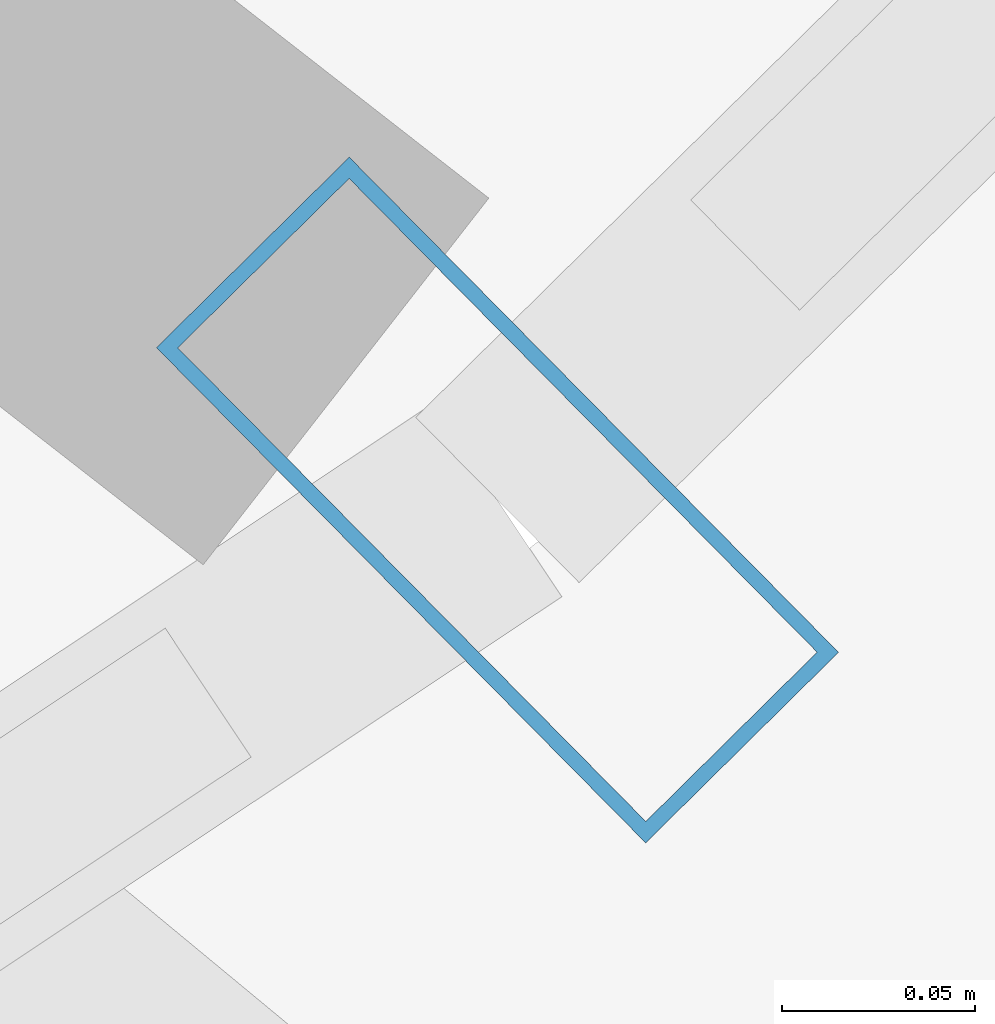
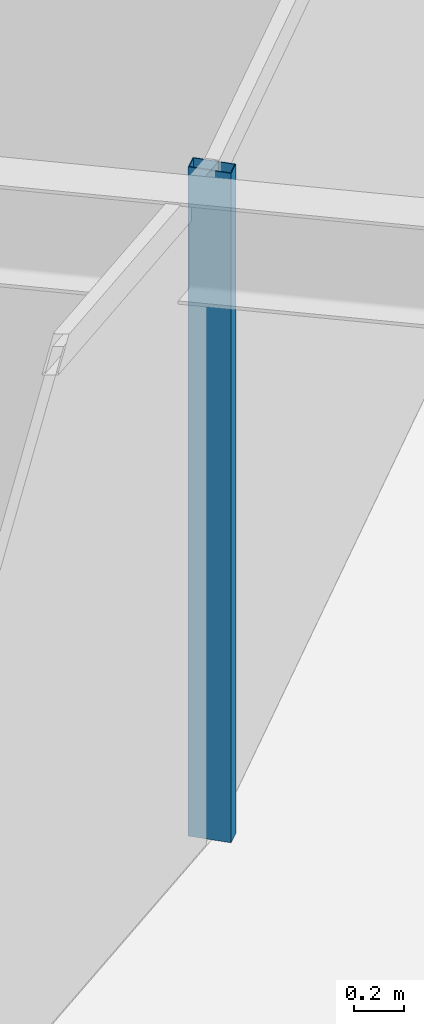
# One storey, part 10 of 21: 1 member, 1 element without a shape of its own.
"""IFC4 building model written with IfcOpenShell, lengths in metres."""

from ifc_helpers import new_model, si_unit, direction, frame, origin, origin_2d, place, context, subcontext, project, spatial, hollow_rectangle, extrude, material, layer, layer_set, material_profile, profile_set, type_object, element, aggregate, save


model = new_model("IFC4")

# Units and contexts
model_context = context("Model", 3, precision=1e-05, world=origin(), true_north=direction((0.0, 1.0)))
body_context = subcontext(model_context, "Body", "Model", "MODEL_VIEW")
ifc_project = project(units=[si_unit("LENGTHUNIT", "METRE"), si_unit("AREAUNIT", "SQUARE_METRE"), si_unit("VOLUMEUNIT", "CUBIC_METRE"), si_unit("PLANEANGLEUNIT", "RADIAN"), si_unit("MASSUNIT", "GRAM", prefix="KILO")], contexts=[model_context])

# Site, building, storey
site_placement = place(None, origin())
site = spatial("IfcSite", under=ifc_project, at=site_placement, CompositionType="ELEMENT")
building_placement = place(site_placement, origin())
building = spatial("IfcBuilding", under=site, at=building_placement, Name="Veldorina Hangang Commons", CompositionType="ELEMENT")
storey_placement = place(building_placement, frame((0.0, 0.0, 73.60009765625)))
storey = spatial("IfcBuildingStorey", under=building, at=storey_placement, Name="L18", CompositionType="ELEMENT", Elevation=73.60009765625)

# Curtain wall, member
ifc_material_1 = material(Name="Glass Low-E Triple IGU", Category="glass")
ifc_layer = layer(ifc_material_1, 0.179931640625)
ifc_layer_set = layer_set([ifc_layer], Name="Glass Low-E Triple IGU")
curtain_wall_type = type_object("IfcCurtainWallType", Name="CW-SYS-Z1", PredefinedType="NOTDEFINED", material=ifc_layer_set)
curtain_wall_placement = place(storey_placement, origin())
curtain_wall = element("IfcCurtainWall", 1, at=curtain_wall_placement, inside=storey, type_object=curtain_wall_type, Name="L18 unitised curtain wall CW-L18-R2", PredefinedType="NOTDEFINED")
ifc_material_2 = material(Name="Aluminium Anodized AA6063-T6", Category="aluminium")
ifc_material_profile = material_profile(ifc_material_2, hollow_rectangle(XDim=0.070068359375, YDim=0.179931640625, WallThickness=0.00390625, at=origin_2d()), Name="ALU-RHS-180x70x4")
ifc_profile_set = profile_set([ifc_material_profile], Name="Aluminium Anodized AA6063-T6")
member_type = type_object("IfcMemberType", Name="CW-MUL-180", PredefinedType="MULLION", material=ifc_profile_set)
member_placement = place(storey_placement, frame((50.697509765625, 8.837890625, 0.0), z_axis=(0.0, 0.0, 1.0), x_axis=(0.711339432581, 0.702848640644, 0.0)))
member = element("IfcMember", 2, at=member_placement, type_object=member_type, Name="CW-L18-R2 vertical mullion 3", PredefinedType="MULLION", context=body_context, shape_type="SweptSolid", body=[
    extrude(hollow_rectangle(XDim=0.070068359375, YDim=0.179931640625, WallThickness=0.00390625, at=origin_2d()), origin(), (0.0, 0.0, 1.0), 3.2998046875),
])
aggregate(curtain_wall, [member])

save(model, "model.ifc")
